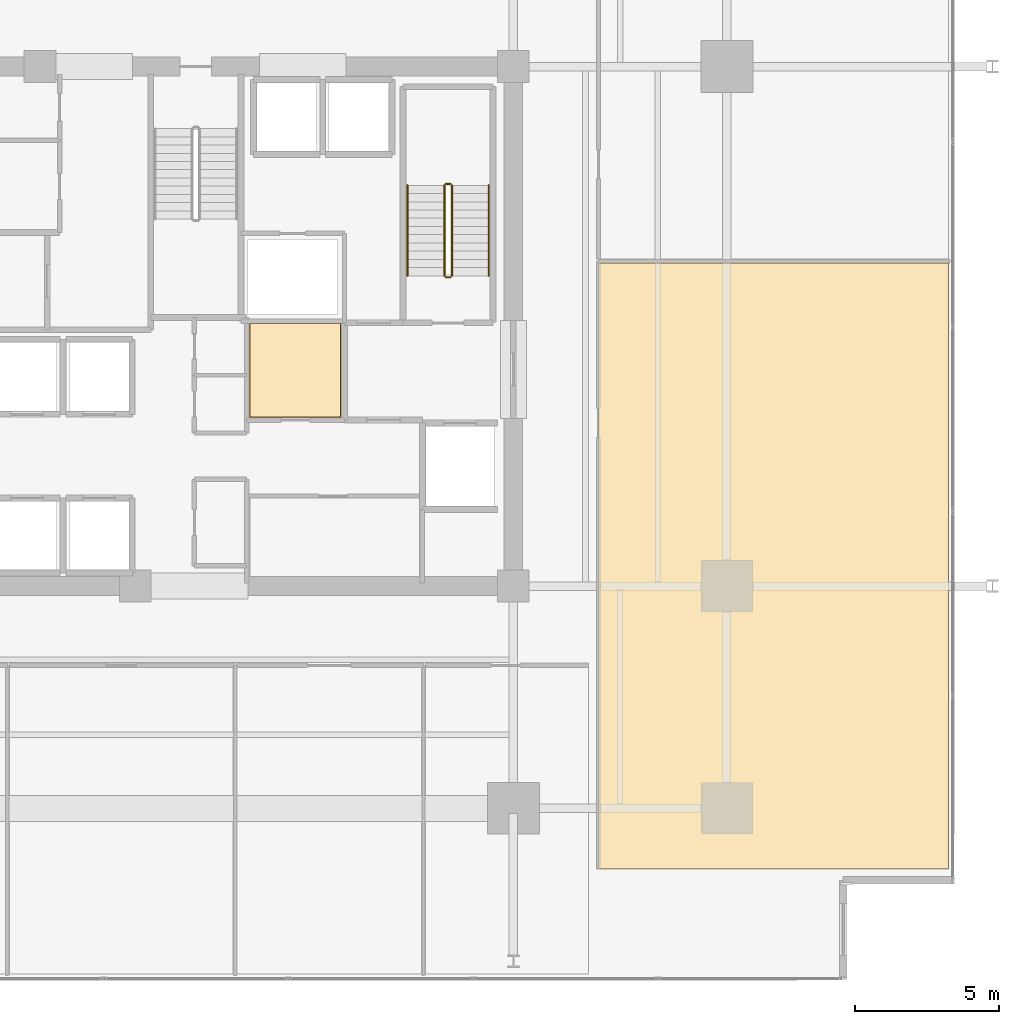
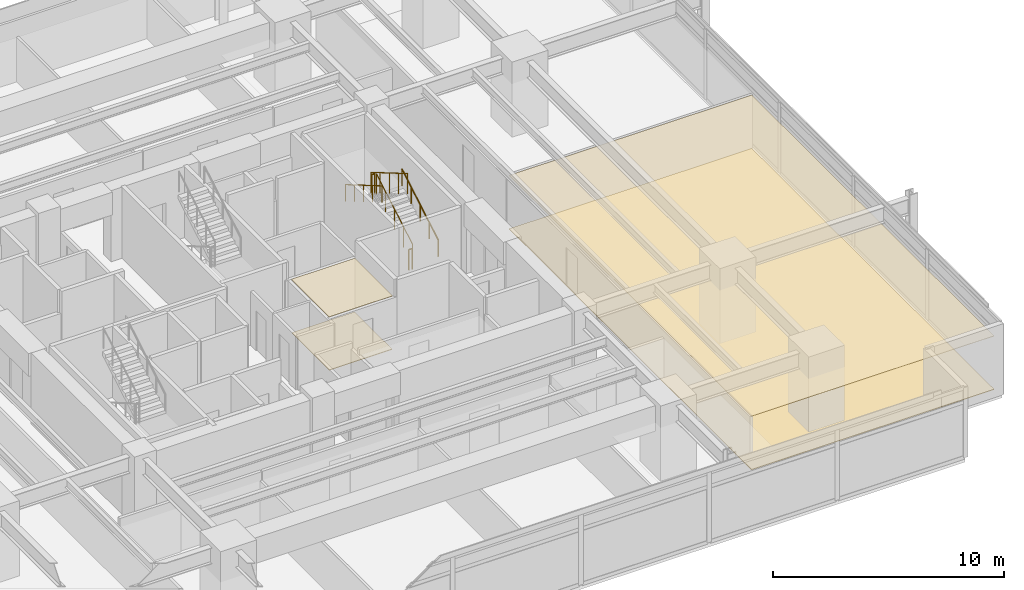
# One storey, part 21 of 22: 6 railings, 4 coverings.
"""IFC4 building model written with IfcOpenShell, lengths in metres."""

from ifc_helpers import new_model, si_unit, direction, frame, origin, origin_2d, place, context, subcontext, project, spatial, polyline, circle, outline, extrude, material, layer, layer_set, type_object, element, save


model = new_model("IFC4")

# Units and contexts
model_context = context("Model", 3, precision=1e-05, world=origin(), true_north=direction((0.0, 1.0)))
body_context = subcontext(model_context, "Body", "Model", "MODEL_VIEW")
ifc_project = project(units=[si_unit("LENGTHUNIT", "METRE"), si_unit("AREAUNIT", "SQUARE_METRE"), si_unit("VOLUMEUNIT", "CUBIC_METRE"), si_unit("PLANEANGLEUNIT", "RADIAN"), si_unit("MASSUNIT", "GRAM", prefix="KILO")], contexts=[model_context])

# Site, building, storey
site_placement = place(None, origin())
site = spatial("IfcSite", under=ifc_project, at=site_placement, CompositionType="ELEMENT")
building_placement = place(site_placement, origin())
building = spatial("IfcBuilding", under=site, at=building_placement, Name="Kovane Verandah Tower", CompositionType="ELEMENT")
storey_placement = place(building_placement, frame((0.0, 0.0, 79.60009765625)))
storey = spatial("IfcBuildingStorey", under=building, at=storey_placement, Name="L18", CompositionType="ELEMENT", Elevation=79.60009765625)

# Coverings
ifc_material_1 = material(Name="Perforated Acoustic Mineral-Fibre Ceiling Tile", Category="gypsum")
ifc_layer_1 = layer(ifc_material_1, 0.02490234375)
ifc_layer_set_1 = layer_set([ifc_layer_1], Name="Perforated Acoustic Mineral-Fibre Ceiling Tile")
covering_type_1 = type_object("IfcCoveringType", Name="CV-CEIL-25", PredefinedType="CEILING", material=ifc_layer_set_1)
covering_1_placement = place(storey_placement, frame((0.0, 0.0, 2.824951171875)))
element("IfcCovering", 1, at=covering_1_placement, inside=storey, type_object=covering_type_1, Name="L18 Document Archive Room Acoustic Ceiling", PredefinedType="CEILING", context=body_context, shape_type="SweptSolid", body=[
    extrude(outline(polyline([(41.864990234375, 24.3349609375), (45.034912109375, 24.3349609375), (45.034912109375, 27.614990234375), (41.864990234375, 27.614990234375), (41.864990234375, 24.3349609375)])), origin(), (0.0, 0.0, 1.0), 0.02490234375),
])
covering_2_placement = place(storey_placement, frame((0.0, 0.0, 2.824951171875)))
element("IfcCovering", 2, at=covering_2_placement, inside=storey, type_object=covering_type_1, Name="L18 Breakout Pantry E1 Acoustic Ceiling", PredefinedType="CEILING", context=body_context, shape_type="SweptSolid", body=[
    extrude(outline(polyline([(53.949951171875, 8.699951171875), (66.07861328125, 8.699951171875), (66.07861328125, 29.68603515625), (53.949951171875, 29.68603515625), (53.949951171875, 8.699951171875)])), origin(), (0.0, 0.0, 1.0), 0.02490234375),
])
ifc_material_2 = material(Name="Polished Terrazzo and Raised-Access Carpet Tile Finish", Category="concrete")
ifc_layer_2 = layer(ifc_material_2, 0.030029296875)
ifc_layer_set_2 = layer_set([ifc_layer_2], Name="Polished Terrazzo and Raised-Access Carpet Tile Finish")
covering_type_2 = type_object("IfcCoveringType", Name="CV-FLOR-30", PredefinedType="FLOORING", material=ifc_layer_set_2)
covering_3_placement = place(storey_placement, origin())
element("IfcCovering", 3, at=covering_3_placement, inside=storey, type_object=covering_type_2, Name="L18 Document Archive Room Floor Finish", PredefinedType="FLOORING", context=body_context, shape_type="SweptSolid", body=[
    extrude(outline(polyline([(41.8798828125, 24.35009765625), (45.02001953125, 24.35009765625), (45.02001953125, 27.60009765625), (41.8798828125, 27.60009765625), (41.8798828125, 24.35009765625)])), origin(), (0.0, 0.0, 1.0), 0.02978515625),
])
covering_4_placement = place(storey_placement, origin())
element("IfcCovering", 4, at=covering_4_placement, inside=storey, type_object=covering_type_2, Name="L18 Breakout Pantry E1 Floor Finish", PredefinedType="FLOORING", context=body_context, shape_type="SweptSolid", body=[
    extrude(outline(polyline([(53.949951171875, 8.699951171875), (66.07861328125, 8.699951171875), (66.07861328125, 29.68603515625), (53.949951171875, 29.68603515625), (53.949951171875, 8.699951171875)])), origin(), (0.0, 0.0, 1.0), 0.02978515625),
])

# Railings
ifc_material_3 = material(Name="Brushed Stainless Steel Handrail", Category="steel")
railing_type_1 = type_object("IfcRailingType", Name="RL-HAND-920", PredefinedType="HANDRAIL", material=ifc_material_3)
railing_1_placement = place(storey_placement, frame((50.14990234375, 29.25, 0.16650390625)))
element("IfcRailing", 5, at=railing_1_placement, inside=storey, type_object=railing_type_1, Name="L18 ST-02 stair handrail 1", PredefinedType="HANDRAIL", context=body_context, shape_type="SweptSolid", body=[
    extrude(circle(Radius=0.02392578125, at=origin_2d()), frame((0.0, 0.0, 0.8759765625), z_axis=(0.0, 0.863210265497, 0.504844567704), x_axis=(-1.0, 0.0, 0.0)), (0.0, 0.0, 1.0), 3.6318359375),
    extrude(circle(Radius=0.02099609375, at=origin_2d()), origin(), (0.0, 0.0, 1.0), 0.851806640625),
    extrude(circle(Radius=0.02099609375, at=origin_2d()), frame((0.0, 0.78369140625, 0.45849609375)), (0.0, 0.0, 1.0), 0.851806640625),
    extrude(circle(Radius=0.02099609375, at=origin_2d()), frame((0.0, 1.5673828125, 0.916748046875)), (0.0, 0.0, 1.0), 0.851806640625),
    extrude(circle(Radius=0.02099609375, at=origin_2d()), frame((0.0, 2.351318359375, 1.375)), (0.0, 0.0, 1.0), 0.851806640625),
    extrude(circle(Radius=0.02099609375, at=origin_2d()), frame((0.0, 3.135009765625, 1.83349609375)), (0.0, 0.0, 1.0), 0.851806640625),
])
railing_2_placement = place(storey_placement, frame((47.330078125, 32.385009765625, 2.16650390625)))
element("IfcRailing", 6, at=railing_2_placement, inside=storey, type_object=railing_type_1, Name="L18 ST-02 stair handrail 2", PredefinedType="HANDRAIL", context=body_context, shape_type="SweptSolid", body=[
    extrude(circle(Radius=0.02392578125, at=origin_2d()), frame((0.0, 0.0, 0.8759765625), z_axis=(0.0, -0.863210265497, 0.504844567704), x_axis=(1.0, 0.0, 0.0)), (0.0, 0.0, 1.0), 3.6318359375),
    extrude(circle(Radius=0.02099609375, at=origin_2d()), origin(), (0.0, 0.0, 1.0), 0.851806640625),
    extrude(circle(Radius=0.02099609375, at=origin_2d()), frame((0.0, -0.78369140625, 0.45849609375)), (0.0, 0.0, 1.0), 0.851806640625),
    extrude(circle(Radius=0.02099609375, at=origin_2d()), frame((0.0, -1.5673828125, 0.916748046875)), (0.0, 0.0, 1.0), 0.851806640625),
    extrude(circle(Radius=0.02099609375, at=origin_2d()), frame((0.0, -2.351318359375, 1.375)), (0.0, 0.0, 1.0), 0.851806640625),
    extrude(circle(Radius=0.02099609375, at=origin_2d()), frame((0.0, -3.135009765625, 1.83349609375)), (0.0, 0.0, 1.0), 0.851806640625),
])
ifc_material_4 = material(Name="Painted Steel Stairwell Guardrail", Category="steel")
railing_type_2 = type_object("IfcRailingType", Name="RL-STGUARD-1120", PredefinedType="GUARDRAIL", material=ifc_material_4)
railing_3_placement = place(storey_placement, frame((48.8701171875, 29.25, 0.16650390625)))
element("IfcRailing", 7, at=railing_3_placement, inside=storey, type_object=railing_type_2, Name="L18 ST-02 stair guard 1", PredefinedType="GUARDRAIL", context=body_context, shape_type="SweptSolid", body=[
    extrude(circle(Radius=0.02392578125, at=origin_2d()), frame((0.0, 0.0, 1.076171875), z_axis=(0.0, 0.863210265497, 0.504844567704), x_axis=(-1.0, 0.0, 0.0)), (0.0, 0.0, 1.0), 3.6318359375),
    extrude(circle(Radius=0.02099609375, at=origin_2d()), origin(), (0.0, 0.0, 1.0), 1.052001953125),
    extrude(circle(Radius=0.02099609375, at=origin_2d()), frame((0.0, 0.78369140625, 0.45849609375)), (0.0, 0.0, 1.0), 1.052001953125),
    extrude(circle(Radius=0.02099609375, at=origin_2d()), frame((0.0, 1.5673828125, 0.916748046875)), (0.0, 0.0, 1.0), 1.052001953125),
    extrude(circle(Radius=0.02099609375, at=origin_2d()), frame((0.0, 2.351318359375, 1.375)), (0.0, 0.0, 1.0), 1.052001953125),
    extrude(circle(Radius=0.02099609375, at=origin_2d()), frame((0.0, 3.135009765625, 1.83349609375)), (0.0, 0.0, 1.0), 1.052001953125),
])
railing_4_placement = place(storey_placement, frame((48.820068359375, 32.43505859375, 2.0)))
element("IfcRailing", 8, at=railing_4_placement, inside=storey, type_object=railing_type_2, Name="L18 ST-02 stair guard 2", PredefinedType="GUARDRAIL", context=body_context, shape_type="SweptSolid", body=[
    extrude(circle(Radius=0.02392578125, at=origin_2d()), frame((0.0, 0.0, 1.076171875), z_axis=(-1.0, 0.0, 0.0), x_axis=(0.0, -1.0, 0.0)), (0.0, 0.0, 1.0), 0.16015625),
    extrude(circle(Radius=0.02099609375, at=origin_2d()), origin(), (0.0, 0.0, 1.0), 1.052001953125),
    extrude(circle(Radius=0.02099609375, at=origin_2d()), frame((-0.16015625, 0.0, 0.0)), (0.0, 0.0, 1.0), 1.052001953125),
])
railing_5_placement = place(storey_placement, frame((48.610107421875, 32.385009765625, 2.16650390625)))
element("IfcRailing", 9, at=railing_5_placement, inside=storey, type_object=railing_type_2, Name="L18 ST-02 stair guard 3", PredefinedType="GUARDRAIL", context=body_context, shape_type="SweptSolid", body=[
    extrude(circle(Radius=0.02392578125, at=origin_2d()), frame((0.0, 0.0, 1.076171875), z_axis=(0.0, -0.863210265497, 0.504844567704), x_axis=(1.0, 0.0, 0.0)), (0.0, 0.0, 1.0), 3.6318359375),
    extrude(circle(Radius=0.02099609375, at=origin_2d()), origin(), (0.0, 0.0, 1.0), 1.052001953125),
    extrude(circle(Radius=0.02099609375, at=origin_2d()), frame((0.0, -0.78369140625, 0.45849609375)), (0.0, 0.0, 1.0), 1.052001953125),
    extrude(circle(Radius=0.02099609375, at=origin_2d()), frame((0.0, -1.5673828125, 0.916748046875)), (0.0, 0.0, 1.0), 1.052001953125),
    extrude(circle(Radius=0.02099609375, at=origin_2d()), frame((0.0, -2.351318359375, 1.375)), (0.0, 0.0, 1.0), 1.052001953125),
    extrude(circle(Radius=0.02099609375, at=origin_2d()), frame((0.0, -3.135009765625, 1.83349609375)), (0.0, 0.0, 1.0), 1.052001953125),
])
railing_6_placement = place(storey_placement, frame((48.820068359375, 29.199951171875, 0.0)))
element("IfcRailing", 10, at=railing_6_placement, inside=storey, type_object=railing_type_2, Name="L18 ST-02 stair guard 4", PredefinedType="GUARDRAIL", context=body_context, shape_type="SweptSolid", body=[
    extrude(circle(Radius=0.02392578125, at=origin_2d()), frame((0.0, 0.0, 1.076171875), z_axis=(-1.0, 0.0, 0.0), x_axis=(0.0, -1.0, 0.0)), (0.0, 0.0, 1.0), 0.16015625),
    extrude(circle(Radius=0.02099609375, at=origin_2d()), origin(), (0.0, 0.0, 1.0), 1.052001953125),
    extrude(circle(Radius=0.02099609375, at=origin_2d()), frame((-0.16015625, 0.0, 0.0)), (0.0, 0.0, 1.0), 1.052001953125),
])

save(model, "model.ifc")
